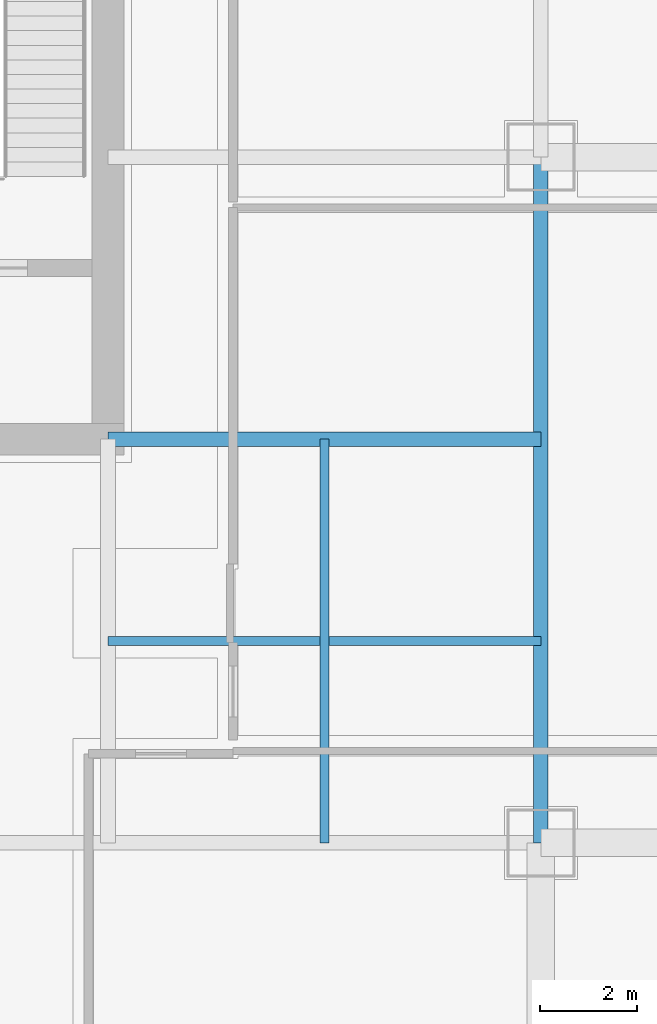
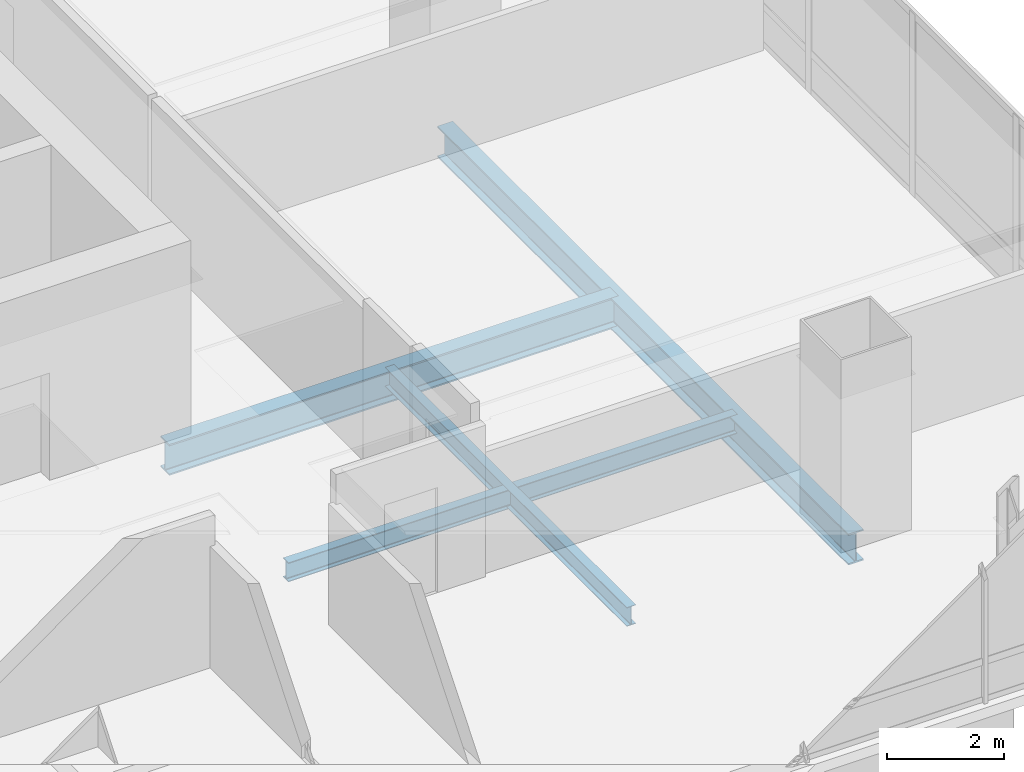
# One storey, part 14 of 36: 4 beams.
"""IFC4 building model written with IfcOpenShell, lengths in metres."""

from ifc_helpers import new_model, si_unit, direction, frame, origin, origin_2d, place, context, subcontext, project, spatial, i_section, extrude, material, material_profile, profile_set, type_object, element, save


model = new_model("IFC4")

# Units and contexts
model_context = context("Model", 3, precision=1e-05, world=origin(), true_north=direction((0.0, 1.0)))
body_context = subcontext(model_context, "Body", "Model", "MODEL_VIEW")
ifc_project = project(units=[si_unit("LENGTHUNIT", "METRE"), si_unit("AREAUNIT", "SQUARE_METRE"), si_unit("VOLUMEUNIT", "CUBIC_METRE"), si_unit("PLANEANGLEUNIT", "RADIAN"), si_unit("MASSUNIT", "GRAM", prefix="KILO")], contexts=[model_context])

# Site, building, storey
site_placement = place(None, origin())
site = spatial("IfcSite", under=ifc_project, at=site_placement, CompositionType="ELEMENT")
building_placement = place(site_placement, origin())
building = spatial("IfcBuilding", under=site, at=building_placement, Name="Punatoya Terracotta Tower", CompositionType="ELEMENT")
storey_placement = place(building_placement, frame((0.0, 0.0, 208.64990234375)))
storey = spatial("IfcBuildingStorey", under=building, at=storey_placement, Name="L49", CompositionType="ELEMENT", Elevation=208.64990234375)

# Beams
ifc_material = material(Name="Steel S355", Category="steel")
ifc_material_profile_1 = material_profile(ifc_material, i_section(OverallWidth=0.300048828125, OverallDepth=0.64990234375, WebThickness=0.01611328125, FlangeThickness=0.031005859375, FilletRadius=0.01806640625, at=origin_2d()))
ifc_profile_set_1 = profile_set([ifc_material_profile_1], Name="Steel S355")
beam_type_1 = type_object("IfcBeamType", Name="BM-PRI-650", PredefinedType="BEAM", material=ifc_profile_set_1)
beam_1_placement = place(storey_placement, frame((19.10009765625, -17.5, -0.544921875), z_axis=(0.0, 1.0, 0.0), x_axis=(-1.0, 0.0, 0.0)))
element("IfcBeam", 1, at=beam_1_placement, inside=storey, type_object=beam_type_1, Name="BM-L49-RG-E1", PredefinedType="BEAM", context=body_context, shape_type="SweptSolid", body=[
    extrude(i_section(OverallWidth=0.300048828125, OverallDepth=0.64990234375, WebThickness=0.01611328125, FlangeThickness=0.031005859375, FilletRadius=0.01806640625, at=origin_2d()), origin(), (0.0, 0.0, 1.0), 14.10009765625),
])
beam_2_placement = place(storey_placement, frame((10.199951171875, -9.199951171875, -0.544921875), z_axis=(1.0, 0.0, 0.0), x_axis=(0.0, 1.0, 0.0)))
element("IfcBeam", 2, at=beam_2_placement, inside=storey, type_object=beam_type_1, Name="BM-L49-PR-ES", PredefinedType="BEAM", context=body_context, shape_type="SweptSolid", body=[
    extrude(i_section(OverallWidth=0.300048828125, OverallDepth=0.64990234375, WebThickness=0.01611328125, FlangeThickness=0.031005859375, FilletRadius=0.01806640625, at=origin_2d()), origin(), (0.0, 0.0, 1.0), 8.900146484375),
])
ifc_material_profile_2 = material_profile(ifc_material, i_section(OverallWidth=0.179931640625, OverallDepth=0.39990234375, WebThickness=0.008544921875, FlangeThickness=0.013427734375, FilletRadius=0.01806640625, at=origin_2d()))
ifc_profile_set_2 = profile_set([ifc_material_profile_2], Name="Steel S355")
beam_type_2 = type_object("IfcBeamType", Name="BM-SEC-400", PredefinedType="JOIST", material=ifc_profile_set_2)
beam_3_placement = place(storey_placement, frame((10.199951171875, -13.35009765625, -0.419921875), z_axis=(1.0, 0.0, 0.0), x_axis=(0.0, 1.0, 0.0)))
element("IfcBeam", 3, at=beam_3_placement, inside=storey, type_object=beam_type_2, Name="BM-L49-SJS-2", PredefinedType="JOIST", context=body_context, shape_type="SweptSolid", body=[
    extrude(i_section(OverallWidth=0.179931640625, OverallDepth=0.39990234375, WebThickness=0.008544921875, FlangeThickness=0.013427734375, FilletRadius=0.01806640625, at=origin_2d()), origin(), (0.0, 0.0, 1.0), 8.900146484375),
])
beam_4_placement = place(storey_placement, frame((14.64990234375, -17.5, -0.419921875), z_axis=(0.0, 1.0, 0.0), x_axis=(-1.0, 0.0, 0.0)))
element("IfcBeam", 4, at=beam_4_placement, inside=storey, type_object=beam_type_2, Name="BM-L49-SJE-1", PredefinedType="JOIST", context=body_context, shape_type="SweptSolid", body=[
    extrude(i_section(OverallWidth=0.179931640625, OverallDepth=0.39990234375, WebThickness=0.008544921875, FlangeThickness=0.013427734375, FilletRadius=0.01806640625, at=origin_2d()), origin(), (0.0, 0.0, 1.0), 8.300048828125),
])

save(model, "model.ifc")
